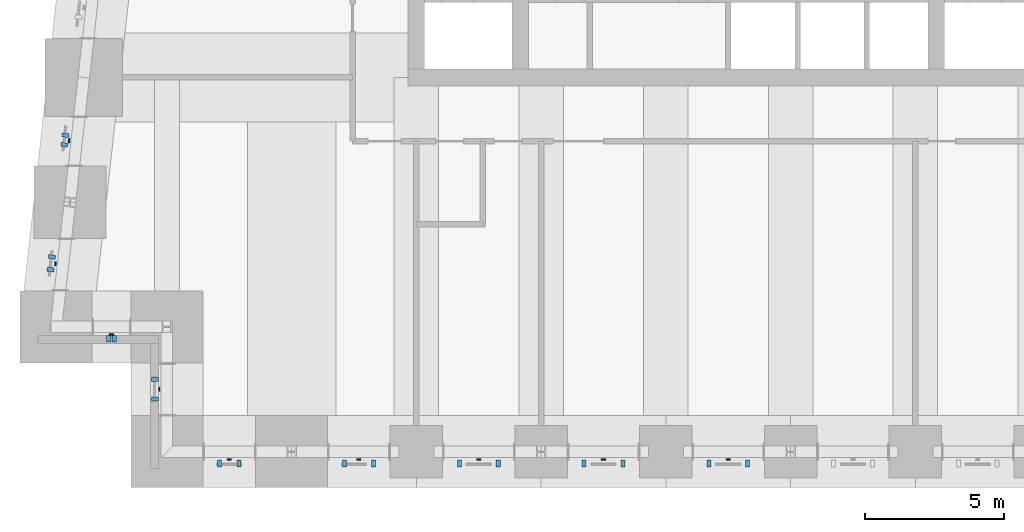
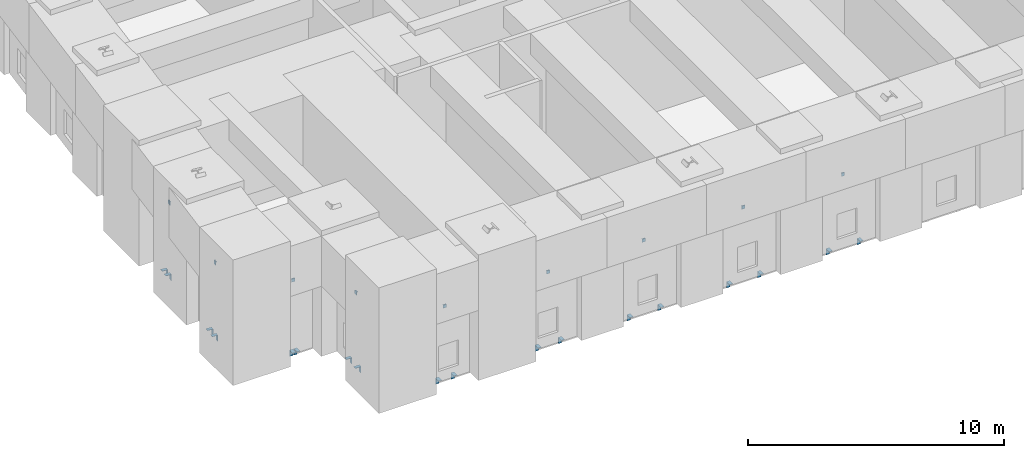
# One storey, part 9 of 17: 27 discrete accessories.
"""IFC4 building model written with IfcOpenShell, lengths in metres."""

from ifc_helpers import new_model, si_unit, direction, frame, origin, place, context, subcontext, project, spatial, polyline, outline, extrude, source, transform, mapped, material, layer, layer_set, type_object, element, save


model = new_model("IFC4")

# Units and contexts
model_context = context("Model", 3, precision=1e-05, world=origin(), true_north=direction((0.0, 1.0)))
body_context = subcontext(model_context, "Body", "Model", "MODEL_VIEW")
ifc_project = project(units=[si_unit("LENGTHUNIT", "METRE"), si_unit("AREAUNIT", "SQUARE_METRE"), si_unit("VOLUMEUNIT", "CUBIC_METRE"), si_unit("PLANEANGLEUNIT", "RADIAN"), si_unit("MASSUNIT", "GRAM", prefix="KILO")], contexts=[model_context])

# Site, building, storey
site_placement = place(None, origin())
site = spatial("IfcSite", under=ifc_project, at=site_placement, CompositionType="ELEMENT")
building_placement = place(site_placement, origin())
building = spatial("IfcBuilding", under=site, at=building_placement, Name="Kilele Tower Hotel", CompositionType="ELEMENT")
storey_placement = place(building_placement, frame((0.0, 0.0, 151.89990234375)))
storey = spatial("IfcBuildingStorey", under=building, at=storey_placement, Name="L39", CompositionType="ELEMENT", Elevation=151.89990234375)

# Discrete accessories
ifc_material_1 = material(Name="Hot-dip galvanized steel S355", Category="steel")
ifc_layer_1 = layer(ifc_material_1, 0.014892578125)
ifc_layer_set_1 = layer_set([ifc_layer_1], Name="Hot-dip galvanized steel S355")
discrete_accessory_type_1 = type_object("IfcDiscreteAccessoryType", Name="Facade panel bearing bracket 250x150x15", PredefinedType="BRACKET", material=ifc_layer_set_1)
shared_shape_1 = source(origin(), body_context, "Body", "SweptSolid", [
    extrude(outline(polyline([(0.0, 0.0), (0.25, 0.0), (0.25, -0.014892578125), (0.014892578125, -0.014892578125), (0.014892578125, -0.300048828125), (0.0, -0.300048828125), (0.0, 0.0)])), origin(), (0.0, 0.0, 1.0), 0.14990234375),
])
for number, where, z_axis, x_axis, name in (
    (1, (2.47509765625, 4.199951171875, 0.0), (-1.0, 0.0, 0.0), (0.0, -1.0, 0.0), "Facade panel bearing bracket L39"),
    (2, (2.675048828125, 4.199951171875, 0.0), (-1.0, 0.0, 0.0), (0.0, -1.0, 0.0), "Facade panel bearing bracket L39"),
    (3, (4.199951171875, 2.52490234375, 0.0), (0.0, 1.0, 0.0), (-1.0, 0.0, 0.0), "Facade panel bearing bracket L39"),
    (4, (4.199951171875, 1.824951171875, 0.0), (0.0, 1.0, 0.0), (-1.0, 0.0, 0.0), "Facade panel bearing bracket L39"),
    (5, (6.47509765625, -0.300048828125, 0.0), (-1.0, 0.0, 0.0), (0.0, -1.0, 0.0), "Facade panel bearing bracket L39"),
    (6, (7.175048828125, -0.300048828125, 0.0), (-1.0, 0.0, 0.0), (0.0, -1.0, 0.0), "Facade panel bearing bracket L39"),
    (7, (10.97509765625, -0.300048828125, 0.0), (-1.0, 0.0, 0.0), (0.0, -1.0, 0.0), "Facade panel bearing bracket L39"),
    (8, (12.02490234375, -0.300048828125, 0.0), (-1.0, 0.0, 0.0), (0.0, -1.0, 0.0), "Facade panel bearing bracket L39"),
    (9, (15.125, -0.300048828125, 0.0), (-1.0, 0.0, 0.0), (0.0, -1.0, 0.0), "Facade panel bearing bracket L39"),
    (10, (16.52490234375, -0.300048828125, 0.0), (-1.0, 0.0, 0.0), (0.0, -1.0, 0.0), "Facade panel bearing bracket L39"),
    (11, (19.625, -0.300048828125, 0.0), (-1.0, 0.0, 0.0), (0.0, -1.0, 0.0), "Facade panel bearing bracket L39"),
    (12, (21.02490234375, -0.300048828125, 0.0), (-1.0, 0.0, 0.0), (0.0, -1.0, 0.0), "Facade panel bearing bracket L39"),
    (13, (24.125, -0.300048828125, 0.0), (-1.0, 0.0, 0.0), (0.0, -1.0, 0.0), "Facade panel bearing bracket L39"),
    (14, (25.52490234375, -0.300048828125, 0.0), (-1.0, 0.0, 0.0), (0.0, -1.0, 0.0), "Facade panel bearing bracket L39"),
    (15, (0.95654296875, 11.32568359375, 0.0), (0.110432, 0.993884, 0.0), (-0.993884, 0.110432, 0.0), "Facade panel bearing bracket L39"),
    (16, (0.918212890625, 10.981689453125, 0.0), (0.110432, 0.993884, 0.0), (-0.993884, 0.110432, 0.0), "Facade panel bearing bracket L39"),
    (17, (0.46875, 6.935302734375, 0.0), (0.110432, 0.993884, 0.0), (-0.993884, 0.110432, 0.0), "Facade panel bearing bracket L39"),
    (18, (0.418212890625, 6.481689453125, 0.0), (0.110432, 0.993884, 0.0), (-0.993884, 0.110432, 0.0), "Facade panel bearing bracket L39"),
):
    element("IfcDiscreteAccessory", number, at=place(storey_placement, frame(where, z_axis=z_axis, x_axis=x_axis)), inside=storey, type_object=discrete_accessory_type_1, Name=name, PredefinedType="BRACKET", context=body_context, shape_type="MappedRepresentation", body=[
        mapped(shared_shape_1, transform((0.0, 0.0, 0.0))),
    ])
ifc_material_2 = material(Name="Hot-dip galvanized steel S355", Category="steel")
ifc_layer_2 = layer(ifc_material_2, 0.011962890625)
ifc_layer_set_2 = layer_set([ifc_layer_2], Name="Hot-dip galvanized steel S355")
discrete_accessory_type_2 = type_object("IfcDiscreteAccessoryType", Name="Facade panel restraint bracket 150x50x12", PredefinedType="BRACKET", material=ifc_layer_set_2)
shared_shape_2 = source(origin(), body_context, "Body", "SweptSolid", [
    extrude(outline(polyline([(0.0, 0.0), (0.0, -0.14990234375), (-0.011962890625, -0.14990234375), (-0.011962890625, -0.011962890625), (-0.050048828125, -0.011962890625), (-0.050048828125, 0.0), (0.0, 0.0)])), origin(), (0.0, 0.0, 1.0), 0.14990234375),
])
for number, where, z_axis, x_axis, name in (
    (19, (2.574951171875, 4.199951171875, 3.35009765625), (-1.0, 0.0, 0.0), (0.0, -1.0, 0.0), "Facade panel restraint bracket L39"),
    (20, (4.199951171875, 2.175048828125, 3.35009765625), (0.0, 1.0, 0.0), (-1.0, 0.0, 0.0), "Facade panel restraint bracket L39"),
    (21, (6.824951171875, -0.300048828125, 3.35009765625), (-1.0, 0.0, 0.0), (0.0, -1.0, 0.0), "Facade panel restraint bracket L39"),
    (22, (11.5, -0.300048828125, 3.35009765625), (-1.0, 0.0, 0.0), (0.0, -1.0, 0.0), "Facade panel restraint bracket L39"),
    (23, (15.824951171875, -0.300048828125, 3.35009765625), (-1.0, 0.0, 0.0), (0.0, -1.0, 0.0), "Facade panel restraint bracket L39"),
    (24, (20.324951171875, -0.300048828125, 3.35009765625), (-1.0, 0.0, 0.0), (0.0, -1.0, 0.0), "Facade panel restraint bracket L39"),
    (25, (24.824951171875, -0.300048828125, 3.35009765625), (-1.0, 0.0, 0.0), (0.0, -1.0, 0.0), "Facade panel restraint bracket L39"),
    (26, (0.9375, 11.15380859375, 3.35009765625), (0.110432, 0.993884, 0.0), (-0.993884, 0.110432, 0.0), "Facade panel restraint bracket L39"),
    (27, (0.443603515625, 6.70849609375, 3.35009765625), (0.110432, 0.993884, 0.0), (-0.993884, 0.110432, 0.0), "Facade panel restraint bracket L39"),
):
    element("IfcDiscreteAccessory", number, at=place(storey_placement, frame(where, z_axis=z_axis, x_axis=x_axis)), inside=storey, type_object=discrete_accessory_type_2, Name=name, PredefinedType="BRACKET", context=body_context, shape_type="MappedRepresentation", body=[
        mapped(shared_shape_2, transform((0.0, 0.0, 0.0))),
    ])

save(model, "model.ifc")
